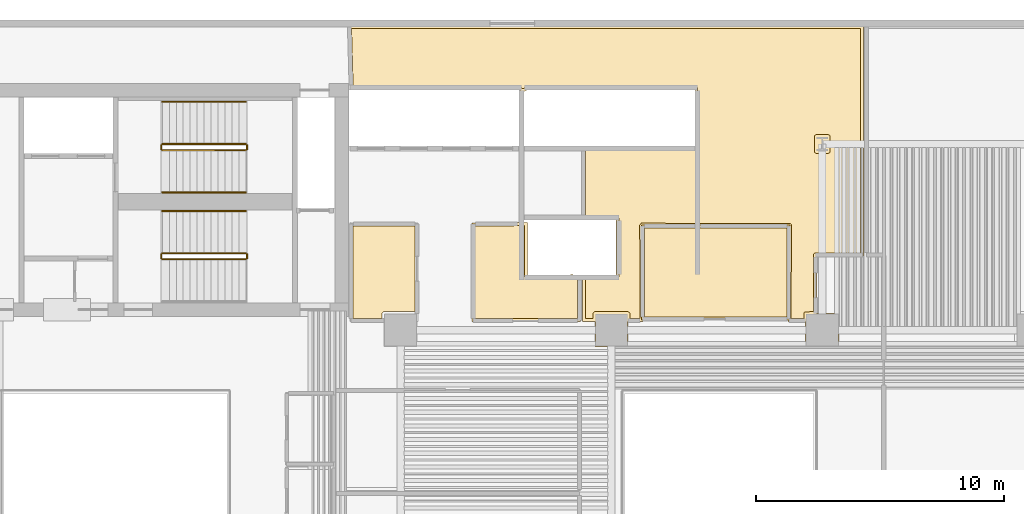
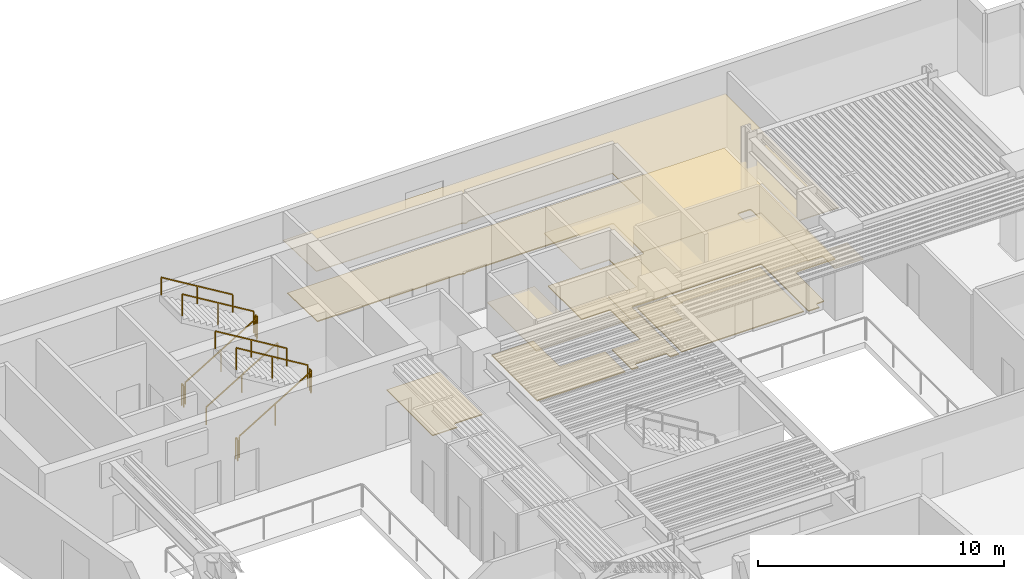
# One storey, part 10 of 11: 11 railings, 7 coverings.
"""IFC4 building model written with IfcOpenShell, lengths in metres."""

from ifc_helpers import new_model, si_unit, direction, frame, origin, origin_2d, place, context, subcontext, project, spatial, polyline, rectangle, outline, extrude, material, layer, layer_set, type_object, element, save


model = new_model("IFC4")

# Units and contexts
model_context = context("Model", 3, precision=1e-05, world=origin(), true_north=direction((0.0, 1.0)))
body_context = subcontext(model_context, "Body", "Model", "MODEL_VIEW")
ifc_project = project(units=[si_unit("LENGTHUNIT", "METRE"), si_unit("AREAUNIT", "SQUARE_METRE"), si_unit("VOLUMEUNIT", "CUBIC_METRE"), si_unit("PLANEANGLEUNIT", "RADIAN"), si_unit("MASSUNIT", "GRAM", prefix="KILO")], contexts=[model_context])

# Site, building, storey
site_placement = place(None, origin())
site = spatial("IfcSite", under=ifc_project, at=site_placement, CompositionType="ELEMENT")
building_placement = place(site_placement, origin())
building = spatial("IfcBuilding", under=site, at=building_placement, Name="Caeloran Harvest Quay", CompositionType="ELEMENT")
storey_placement = place(building_placement, frame((0.0, 0.0, 66.60009765625)))
storey = spatial("IfcBuildingStorey", under=building, at=storey_placement, Name="L15", CompositionType="ELEMENT", Elevation=66.60009765625)

# Coverings
ifc_material_1 = material(Name="Perforated Mineral-Fibre Acoustic Ceiling Tile", Category="ceiling")
ifc_layer_1 = layer(ifc_material_1, 0.0400390625, Name="Perforated Mineral-Fibre Acoustic Ceiling Tile")
ifc_layer_set_1 = layer_set([ifc_layer_1], Name="Perforated Mineral-Fibre Acoustic Ceiling Tile")
covering_type_1 = type_object("IfcCoveringType", Name="COV-CEILING-ACOUSTIC", PredefinedType="CEILING", material=ifc_layer_set_1)
covering_1_placement = place(storey_placement, frame((0.0, 0.0, 2.599853515625)))
element("IfcCovering", 1, at=covering_1_placement, inside=storey, type_object=covering_type_1, Name="L15 Core Telemetry Control Room Acoustic Ceiling", PredefinedType="CEILING", context=body_context, shape_type="SweptSolid", body=[
    extrude(outline(polyline([(41.18994140625, 35.239990234375), (41.18994140625, 31.409912109375), (35.2099609375, 31.409912109375), (35.2099609375, 35.239990234375), (41.18994140625, 35.239990234375)])), origin(), (0.0, 0.0, 1.0), 0.0400390625),
])
covering_2_placement = place(storey_placement, frame((0.0, 0.0, 2.599853515625)))
element("IfcCovering", 2, at=covering_2_placement, inside=storey, type_object=covering_type_1, Name="Staff Wellness Lounge Acoustic Ceiling", PredefinedType="CEILING", context=body_context, shape_type="SweptSolid", body=[
    extrude(outline(polyline([(30.212890625, 35.31005859375), (30.22021484375, 35.330078125), (30.610107421875, 35.330078125), (30.610107421875, 33.2099609375), (32.34228515625, 33.2099609375), (32.34716796875, 33.22998046875), (32.45166015625, 33.235107421875), (32.457763671875, 33.2099609375), (32.760009765625, 33.2099609375), (32.760009765625, 31.340087890625), (28.389892578125, 31.340087890625), (28.389892578125, 35.31005859375), (30.212890625, 35.31005859375)])), origin(), (0.0, 0.0, 1.0), 0.0400390625),
])
covering_3_placement = place(storey_placement, frame((0.0, 0.0, 2.599853515625)))
element("IfcCovering", 3, at=covering_3_placement, inside=storey, type_object=covering_type_1, Name="Photobiology Spectrum Laboratory 11 Acoustic Ceiling", PredefinedType="CEILING", context=body_context, shape_type="SweptSolid", body=[
    extrude(outline(polyline([(33.330078125, 31.340087890625), (32.840087890625, 31.340087890625), (32.840087890625, 33.2099609375), (34.18994140625, 33.2099609375), (34.18994140625, 35.43994140625), (32.840087890625, 35.43994140625), (32.840087890625, 38.409912109375), (37.3701171875, 38.409912109375), (37.3701171875, 40.68994140625), (30.61083984375, 40.68994140625), (30.43994140625, 40.5888671875), (30.26904296875, 40.68994140625), (23.47119140625, 40.68994140625), (23.399658203125, 43.280029296875), (44.159912109375, 43.280029296875), (44.159912109375, 33.989990234375), (42.260009765625, 33.989990234375), (42.260009765625, 31.669921875), (43.169921875, 31.669921875), (43.169921875, 30.330078125), (41.830078125, 30.330078125), (41.830078125, 31.340087890625), (41.119873046875, 31.340087890625), (41.139892578125, 35.18994140625), (35.26025390625, 35.18994140625), (35.2802734375, 31.340087890625), (34.669921875, 31.340087890625), (34.669921875, 30.330078125), (33.330078125, 30.330078125), (33.330078125, 31.340087890625)])), origin(), (0.0, 0.0, 1.0), 0.0400390625),
])
ifc_material_2 = material(Name="Calcium-Sulphate Raised Access Floor and Terrazzo Finish", Category="flooring")
ifc_layer_2 = layer(ifc_material_2, 0.050048828125, Name="Calcium-Sulphate Raised Access Floor and Terrazzo Finish")
ifc_layer_set_2 = layer_set([ifc_layer_2], Name="Calcium-Sulphate Raised Access Floor and Terrazzo Finish")
covering_type_2 = type_object("IfcCoveringType", Name="COV-FLOOR-RAISED", PredefinedType="FLOORING", material=ifc_layer_set_2)
covering_4_placement = place(storey_placement, origin())
element("IfcCovering", 4, at=covering_4_placement, inside=storey, type_object=covering_type_2, Name="L15 Core Telemetry Control Room Raised Finish Flooring", PredefinedType="FLOORING", context=body_context, shape_type="SweptSolid", body=[
    extrude(outline(polyline([(41.070068359375, 35.1201171875), (41.070068359375, 31.530029296875), (35.330078125, 31.530029296875), (35.330078125, 35.1201171875), (41.070068359375, 35.1201171875)])), origin(), (0.0, 0.0, 1.0), 0.0498046875),
])
covering_5_placement = place(storey_placement, origin())
element("IfcCovering", 5, at=covering_5_placement, inside=storey, type_object=covering_type_2, Name="Staff Wellness Lounge Raised Finish Flooring", PredefinedType="FLOORING", context=body_context, shape_type="SweptSolid", body=[
    extrude(outline(polyline([(28.510009765625, 35.18994140625), (30.489990234375, 35.2099609375), (30.50634765625, 33.14208984375), (30.60009765625, 33.090087890625), (32.639892578125, 33.090087890625), (32.639892578125, 31.4599609375), (28.510009765625, 31.4599609375), (28.510009765625, 35.18994140625)])), origin(), (0.0, 0.0, 1.0), 0.0498046875),
])
covering_6_placement = place(storey_placement, origin())
element("IfcCovering", 6, at=covering_6_placement, inside=storey, type_object=covering_type_2, Name="Dwarf Citrus Mezzanine Growing Hall 9 Raised Finish Flooring", PredefinedType="FLOORING", context=body_context, shape_type="SweptSolid", body=[
    extrude(outline(polyline([(23.590087890625, 35.18994140625), (26.090087890625, 35.18994140625), (26.090087890625, 31.7451171875), (24.8271484375, 31.74462890625), (24.75830078125, 31.688232421875), (24.7548828125, 31.4599609375), (23.590087890625, 31.4599609375), (23.590087890625, 35.18994140625)])), origin(), (0.0, 0.0, 1.0), 0.0498046875),
])
covering_7_placement = place(storey_placement, origin())
element("IfcCovering", 7, at=covering_7_placement, inside=storey, type_object=covering_type_2, Name="Photobiology Spectrum Laboratory 11 Raised Finish Flooring", PredefinedType="FLOORING", context=body_context, shape_type="SweptSolid", body=[
    extrude(outline(polyline([(44.0400390625, 34.110107421875), (42.219970703125, 34.110107421875), (42.163330078125, 34.086669921875), (42.139892578125, 34.030029296875), (42.139892578125, 31.7451171875), (41.79052734375, 31.7314453125), (41.75537109375, 31.6728515625), (41.7548828125, 31.4599609375), (41.240478515625, 31.4599609375), (41.260009765625, 35.2294921875), (41.224609375, 35.29638671875), (35.204345703125, 35.30859375), (35.139892578125, 35.2294921875), (35.15966796875, 31.4599609375), (34.7451171875, 31.4599609375), (34.74169921875, 31.688232421875), (34.6650390625, 31.7451171875), (33.3193359375, 31.743408203125), (33.256591796875, 31.6806640625), (33.2548828125, 31.4599609375), (32.9599609375, 31.4599609375), (32.9599609375, 33.090087890625), (34.23779296875, 33.09033203125), (34.291748046875, 33.119140625), (34.31005859375, 33.169921875), (34.300537109375, 35.517578125), (34.22998046875, 35.56005859375), (32.9599609375, 35.56005859375), (32.9599609375, 38.2900390625), (37.44775390625, 38.29931640625), (37.489990234375, 38.3701171875), (37.4716796875, 40.78076171875), (37.409912109375, 40.81005859375), (30.60009765625, 40.81005859375), (30.43994140625, 40.728271484375), (30.280029296875, 40.81005859375), (23.587890625, 40.81005859375), (23.523193359375, 43.159912109375), (44.0400390625, 43.159912109375), (44.0400390625, 34.110107421875)]), holes=[polyline([(42.822021484375, 38.200439453125), (42.8037109375, 38.850341796875), (42.749755859375, 38.879150390625), (42.258056640625, 38.87939453125), (42.201416015625, 38.856201171875), (42.177978515625, 38.799560546875), (42.177978515625, 38.200439453125), (42.201416015625, 38.143798828125), (42.258056640625, 38.12060546875), (42.741943359375, 38.12060546875), (42.798583984375, 38.143798828125), (42.822021484375, 38.200439453125)])]), origin(), (0.0, 0.0, 1.0), 0.0498046875),
])

# Railings
ifc_material_3 = material(Name="Painted Steel Baluster and Top-Rail Stair Guard", Category="steel")
ifc_layer_3 = layer(ifc_material_3, 0.050048828125, Name="Painted Steel Baluster and Top-Rail Stair Guard")
ifc_layer_set_3 = layer_set([ifc_layer_3], Name="Painted Steel Baluster and Top-Rail Stair Guard")
railing_type_1 = type_object("IfcRailingType", Name="STAIR-GUARD-1100", PredefinedType="GUARDRAIL", material=ifc_layer_set_3)
railing_1_placement = place(storey_placement, frame((15.89990234375, 38.25, 0.169189453125)))
element("IfcRailing", 8, at=railing_1_placement, inside=storey, type_object=railing_type_1, Name="L15 ST-C1 stair guard 1", PredefinedType="GUARDRAIL", context=body_context, shape_type="SweptSolid", body=[
    extrude(rectangle(XDim=0.048095703125, YDim=0.048095703125, at=origin_2d()), frame((0.0, 0.0, 1.076171875), z_axis=(0.855836976705, 0.0, 0.517245656632), x_axis=(0.0, 1.0, 0.0)), (0.0, 0.0, 1.0), 3.926025390625),
    extrude(rectangle(XDim=0.0419921875, YDim=0.0419921875, at=origin_2d()), origin(), (0.0, 0.0, 1.0), 1.052001953125),
    extrude(rectangle(XDim=0.0419921875, YDim=0.0419921875, at=origin_2d()), frame((1.68017578125, 0.0, 1.015380859375)), (0.0, 0.0, 1.0), 1.052001953125),
    extrude(rectangle(XDim=0.0419921875, YDim=0.0419921875, at=origin_2d()), frame((3.360107421875, 0.0, 2.03076171875)), (0.0, 0.0, 1.0), 1.052001953125),
])
railing_2_placement = place(storey_placement, frame((19.31005859375, 38.300048828125, 2.199951171875)))
element("IfcRailing", 9, at=railing_2_placement, inside=storey, type_object=railing_type_1, Name="L15 ST-C1 stair guard 2", PredefinedType="GUARDRAIL", context=body_context, shape_type="SweptSolid", body=[
    extrude(rectangle(XDim=0.048095703125, YDim=0.048095703125, at=origin_2d()), frame((0.0, 0.0, 1.076171875), z_axis=(0.0, 1.0, 0.0), x_axis=(-1.0, 0.0, 0.0)), (0.0, 0.0, 1.0), 0.14990234375),
    extrude(rectangle(XDim=0.0419921875, YDim=0.0419921875, at=origin_2d()), origin(), (0.0, 0.0, 1.0), 1.052001953125),
    extrude(rectangle(XDim=0.0419921875, YDim=0.0419921875, at=origin_2d()), frame((0.0, 0.14990234375, 0.0)), (0.0, 0.0, 1.0), 1.052001953125),
])
railing_3_placement = place(storey_placement, frame((19.260009765625, 38.5, 2.369140625)))
element("IfcRailing", 10, at=railing_3_placement, inside=storey, type_object=railing_type_1, Name="L15 ST-C1 stair guard 3", PredefinedType="GUARDRAIL", context=body_context, shape_type="SweptSolid", body=[
    extrude(rectangle(XDim=0.048095703125, YDim=0.048095703125, at=origin_2d()), frame((0.0, 0.0, 1.076171875), z_axis=(-0.855836976705, 0.0, 0.517245656632), x_axis=(0.0, -1.0, 0.0)), (0.0, 0.0, 1.0), 3.926025390625),
    extrude(rectangle(XDim=0.0419921875, YDim=0.0419921875, at=origin_2d()), origin(), (0.0, 0.0, 1.0), 1.052001953125),
    extrude(rectangle(XDim=0.0419921875, YDim=0.0419921875, at=origin_2d()), frame((-1.68017578125, 0.0, 1.015380859375)), (0.0, 0.0, 1.0), 1.052001953125),
    extrude(rectangle(XDim=0.0419921875, YDim=0.0419921875, at=origin_2d()), frame((-3.360107421875, 0.0, 2.03076171875)), (0.0, 0.0, 1.0), 1.052001953125),
])
railing_4_placement = place(storey_placement, frame((15.85009765625, 38.300048828125, 0.0)))
element("IfcRailing", 11, at=railing_4_placement, inside=storey, type_object=railing_type_1, Name="L15 ST-C1 stair guard 4", PredefinedType="GUARDRAIL", context=body_context, shape_type="SweptSolid", body=[
    extrude(rectangle(XDim=0.048095703125, YDim=0.048095703125, at=origin_2d()), frame((0.0, 0.0, 1.076171875), z_axis=(0.0, 1.0, 0.0), x_axis=(-1.0, 0.0, 0.0)), (0.0, 0.0, 1.0), 0.14990234375),
    extrude(rectangle(XDim=0.0419921875, YDim=0.0419921875, at=origin_2d()), origin(), (0.0, 0.0, 1.0), 1.052001953125),
    extrude(rectangle(XDim=0.0419921875, YDim=0.0419921875, at=origin_2d()), frame((0.0, 0.14990234375, 0.0)), (0.0, 0.0, 1.0), 1.052001953125),
])
railing_5_placement = place(storey_placement, frame((15.89990234375, 33.85009765625, 0.169189453125)))
element("IfcRailing", 12, at=railing_5_placement, inside=storey, type_object=railing_type_1, Name="L15 ST-C2 stair guard 1", PredefinedType="GUARDRAIL", context=body_context, shape_type="SweptSolid", body=[
    extrude(rectangle(XDim=0.048095703125, YDim=0.048095703125, at=origin_2d()), frame((0.0, 0.0, 1.076171875), z_axis=(0.855836976705, 0.0, 0.517245656632), x_axis=(0.0, 1.0, 0.0)), (0.0, 0.0, 1.0), 3.926025390625),
    extrude(rectangle(XDim=0.0419921875, YDim=0.0419921875, at=origin_2d()), origin(), (0.0, 0.0, 1.0), 1.052001953125),
    extrude(rectangle(XDim=0.0419921875, YDim=0.0419921875, at=origin_2d()), frame((1.68017578125, 0.0, 1.015380859375)), (0.0, 0.0, 1.0), 1.052001953125),
    extrude(rectangle(XDim=0.0419921875, YDim=0.0419921875, at=origin_2d()), frame((3.360107421875, 0.0, 2.03076171875)), (0.0, 0.0, 1.0), 1.052001953125),
])
railing_6_placement = place(storey_placement, frame((19.31005859375, 33.89990234375, 2.199951171875)))
element("IfcRailing", 13, at=railing_6_placement, inside=storey, type_object=railing_type_1, Name="L15 ST-C2 stair guard 2", PredefinedType="GUARDRAIL", context=body_context, shape_type="SweptSolid", body=[
    extrude(rectangle(XDim=0.048095703125, YDim=0.048095703125, at=origin_2d()), frame((0.0, 0.0, 1.076171875), z_axis=(0.0, 1.0, 0.0), x_axis=(-1.0, 0.0, 0.0)), (0.0, 0.0, 1.0), 0.150146484375),
    extrude(rectangle(XDim=0.0419921875, YDim=0.0419921875, at=origin_2d()), origin(), (0.0, 0.0, 1.0), 1.052001953125),
    extrude(rectangle(XDim=0.0419921875, YDim=0.0419921875, at=origin_2d()), frame((0.0, 0.150146484375, 0.0)), (0.0, 0.0, 1.0), 1.052001953125),
])
railing_7_placement = place(storey_placement, frame((19.260009765625, 34.10009765625, 2.369140625)))
element("IfcRailing", 14, at=railing_7_placement, inside=storey, type_object=railing_type_1, Name="L15 ST-C2 stair guard 3", PredefinedType="GUARDRAIL", context=body_context, shape_type="SweptSolid", body=[
    extrude(rectangle(XDim=0.048095703125, YDim=0.048095703125, at=origin_2d()), frame((0.0, 0.0, 1.076171875), z_axis=(-0.855836976705, 0.0, 0.517245656632), x_axis=(0.0, -1.0, 0.0)), (0.0, 0.0, 1.0), 3.926025390625),
    extrude(rectangle(XDim=0.0419921875, YDim=0.0419921875, at=origin_2d()), origin(), (0.0, 0.0, 1.0), 1.052001953125),
    extrude(rectangle(XDim=0.0419921875, YDim=0.0419921875, at=origin_2d()), frame((-1.68017578125, 0.0, 1.015380859375)), (0.0, 0.0, 1.0), 1.052001953125),
    extrude(rectangle(XDim=0.0419921875, YDim=0.0419921875, at=origin_2d()), frame((-3.360107421875, 0.0, 2.03076171875)), (0.0, 0.0, 1.0), 1.052001953125),
])
railing_8_placement = place(storey_placement, frame((15.85009765625, 33.89990234375, 0.0)))
element("IfcRailing", 15, at=railing_8_placement, inside=storey, type_object=railing_type_1, Name="L15 ST-C2 stair guard 4", PredefinedType="GUARDRAIL", context=body_context, shape_type="SweptSolid", body=[
    extrude(rectangle(XDim=0.048095703125, YDim=0.048095703125, at=origin_2d()), frame((0.0, 0.0, 1.076171875), z_axis=(0.0, 1.0, 0.0), x_axis=(-1.0, 0.0, 0.0)), (0.0, 0.0, 1.0), 0.150146484375),
    extrude(rectangle(XDim=0.0419921875, YDim=0.0419921875, at=origin_2d()), origin(), (0.0, 0.0, 1.0), 1.052001953125),
    extrude(rectangle(XDim=0.0419921875, YDim=0.0419921875, at=origin_2d()), frame((0.0, 0.150146484375, 0.0)), (0.0, 0.0, 1.0), 1.052001953125),
])
ifc_material_4 = material(Name="Brushed Stainless Steel Grade 304", Category="steel")
ifc_layer_4 = layer(ifc_material_4, 0.050048828125, Name="Brushed Stainless Steel Grade 304")
ifc_layer_set_4 = layer_set([ifc_layer_4], Name="Brushed Stainless Steel Grade 304")
railing_type_2 = type_object("IfcRailingType", Name="STAIR-HANDRAIL-900", PredefinedType="HANDRAIL", material=ifc_layer_set_4)
railing_9_placement = place(storey_placement, frame((15.89990234375, 36.550048828125, 0.169189453125)))
element("IfcRailing", 16, at=railing_9_placement, inside=storey, type_object=railing_type_2, Name="L15 ST-C1 stair handrail 1", PredefinedType="HANDRAIL", context=body_context, shape_type="SweptSolid", body=[
    extrude(rectangle(XDim=0.048095703125, YDim=0.048095703125, at=origin_2d()), frame((0.0, 0.0, 0.8759765625), z_axis=(0.855836976705, 0.0, 0.517245656632), x_axis=(0.0, 1.0, 0.0)), (0.0, 0.0, 1.0), 3.926025390625),
    extrude(rectangle(XDim=0.0419921875, YDim=0.0419921875, at=origin_2d()), origin(), (0.0, 0.0, 1.0), 0.851806640625),
    extrude(rectangle(XDim=0.0419921875, YDim=0.0419921875, at=origin_2d()), frame((1.68017578125, 0.0, 1.015380859375)), (0.0, 0.0, 1.0), 0.851806640625),
    extrude(rectangle(XDim=0.0419921875, YDim=0.0419921875, at=origin_2d()), frame((3.360107421875, 0.0, 2.03076171875)), (0.0, 0.0, 1.0), 0.851806640625),
])
for number, where, name in (
    (17, (19.260009765625, 40.199951171875, 2.369140625), "L15 ST-C1 stair handrail 2"),
    (18, (19.260009765625, 35.800048828125, 2.369140625), "L15 ST-C2 stair handrail 2"),
):
    element("IfcRailing", number, at=place(storey_placement, frame(where)), inside=storey, type_object=railing_type_2, Name=name, PredefinedType="HANDRAIL", context=body_context, shape_type="SweptSolid", body=[
        extrude(rectangle(XDim=0.048095703125, YDim=0.048095703125, at=origin_2d()), frame((0.0, 0.0, 0.8759765625), z_axis=(-0.855836976705, 0.0, 0.517245656632), x_axis=(0.0, -1.0, 0.0)), (0.0, 0.0, 1.0), 3.926025390625),
        extrude(rectangle(XDim=0.0419921875, YDim=0.0419921875, at=origin_2d()), origin(), (0.0, 0.0, 1.0), 0.851806640625),
        extrude(rectangle(XDim=0.0419921875, YDim=0.0419921875, at=origin_2d()), frame((-1.68017578125, 0.0, 1.015380859375)), (0.0, 0.0, 1.0), 0.851806640625),
        extrude(rectangle(XDim=0.0419921875, YDim=0.0419921875, at=origin_2d()), frame((-3.360107421875, 0.0, 2.03076171875)), (0.0, 0.0, 1.0), 0.851806640625),
    ])

save(model, "model.ifc")
